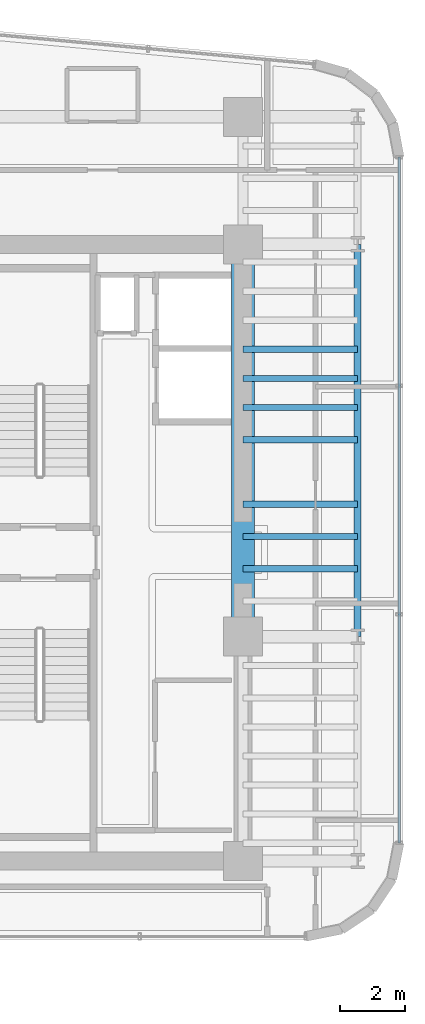
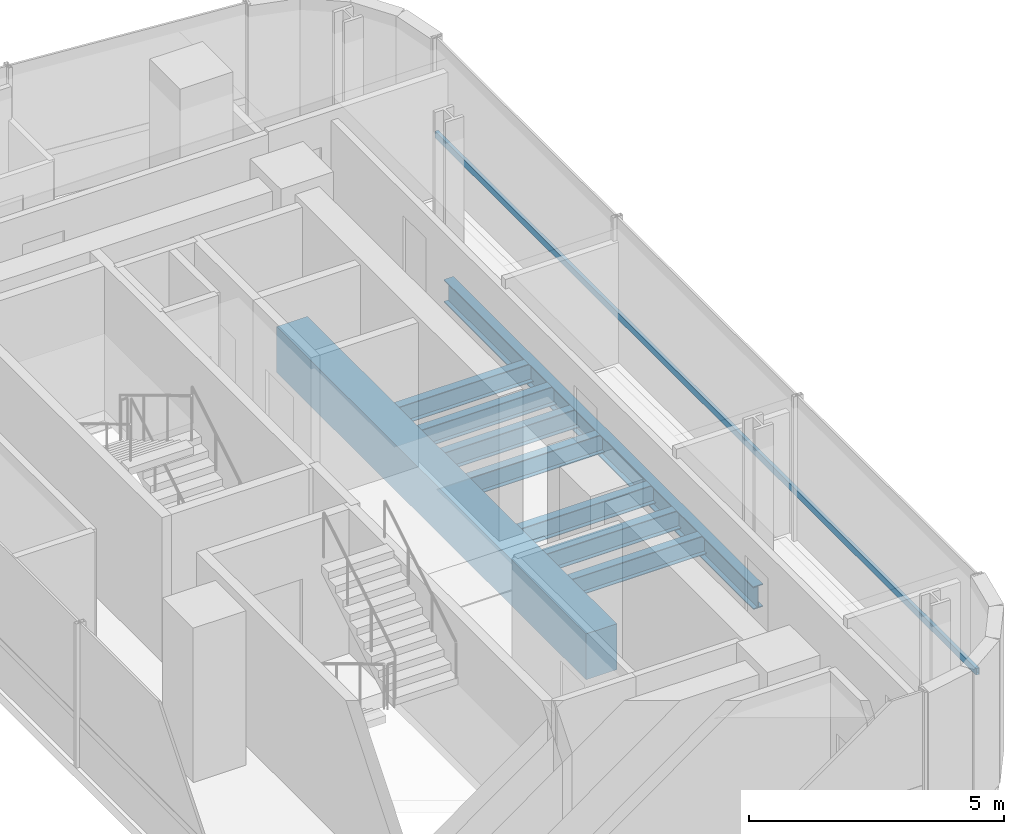
# One storey, part 16 of 33: 9 beams, 1 member, 1 element without a shape of its own.
"""IFC4 building model written with IfcOpenShell, lengths in metres."""

from ifc_helpers import new_model, si_unit, direction, frame, origin, origin_2d, place, context, subcontext, project, spatial, rectangle, hollow_rectangle, i_section, extrude, source, transform, mapped, material, material_profile, profile_set, type_object, element, aggregate, save


model = new_model("IFC4")

# Units and contexts
model_context = context("Model", 3, precision=1e-05, world=origin(), true_north=direction((0.0, 1.0)))
body_context = subcontext(model_context, "Body", "Model", "MODEL_VIEW")
ifc_project = project(units=[si_unit("LENGTHUNIT", "METRE"), si_unit("AREAUNIT", "SQUARE_METRE"), si_unit("VOLUMEUNIT", "CUBIC_METRE"), si_unit("PLANEANGLEUNIT", "RADIAN"), si_unit("MASSUNIT", "GRAM", prefix="KILO")], contexts=[model_context])

# Site, building, storey
site_placement = place(None, origin())
site = spatial("IfcSite", under=ifc_project, at=site_placement, CompositionType="ELEMENT")
building_placement = place(site_placement, origin())
building = spatial("IfcBuilding", under=site, at=building_placement, Name="Valdorenza Pilgrim Sanctuary Tower", CompositionType="ELEMENT")
storey_placement = place(building_placement, frame((0.0, 0.0, 157.5)))
storey = spatial("IfcBuildingStorey", under=building, at=storey_placement, Name="L40", CompositionType="ELEMENT", Elevation=157.5)

# Beams
ifc_material_1 = material(Name="Concrete C50/60", Category="concrete")
ifc_material_profile_1 = material_profile(ifc_material_1, rectangle(XDim=0.699951171875, YDim=1.10009765625, at=origin_2d()), Name="RC 1100x700")
ifc_profile_set_1 = profile_set([ifc_material_profile_1], Name="Concrete C50/60")
beam_type_1 = type_object("IfcBeamType", Name="STR-BM-LNT-1100", PredefinedType="LINTEL", material=ifc_profile_set_1)
shared_shape_1 = source(origin(), body_context, "Body", "SweptSolid", [
    extrude(rectangle(XDim=0.699951171875, YDim=1.10009765625, at=origin_2d()), origin(), (0.0, 0.0, 1.0), 12.150146484375),
])
beam_1_placement = place(storey_placement, frame((24.85009765625, -2.60009765625, -0.590087890625), z_axis=(0.0, 1.0, 0.0), x_axis=(-1.0, 0.0, 0.0)))
element("IfcBeam", 1, at=beam_1_placement, inside=storey, type_object=beam_type_1, Name="L40 Core B East Coupling Lintel Girder", PredefinedType="LINTEL", context=body_context, shape_type="MappedRepresentation", body=[
    mapped(shared_shape_1, transform((0.0, 0.0, 0.0), x_axis=(1.0, 0.0, 0.0), y_axis=(0.0, 1.0, 0.0), z_axis=(0.0, 0.0, 1.0), scale=1.0)),
])
ifc_material_2 = material(Name="Steel ASTM A992 Grade 50", Category="steel")
ifc_material_profile_2 = material_profile(ifc_material_2, i_section(OverallWidth=0.214111328125, OverallDepth=0.549072265625, WebThickness=0.0146484375, FlangeThickness=0.023681640625, at=origin_2d()), Name="W21X93")
ifc_profile_set_2 = profile_set([ifc_material_profile_2], Name="Steel ASTM A992 Grade 50")
beam_type_2 = type_object("IfcBeamType", Name="STR-BM-SPN-W21A", PredefinedType="SPANDREL", material=ifc_profile_set_2)
shared_shape_2 = source(origin(), body_context, "Body", "SweptSolid", [
    extrude(i_section(OverallWidth=0.214111328125, OverallDepth=0.549072265625, WebThickness=0.0146484375, FlangeThickness=0.023681640625, at=origin_2d()), origin(), (0.0, 0.0, 1.0), 12.150146484375),
])
beam_2_placement = place(storey_placement, frame((28.39990234375, -2.60009765625, -0.514404296875), z_axis=(0.0, 1.0, 0.0), x_axis=(-1.0, 0.0, 0.0)))
element("IfcBeam", 2, at=beam_2_placement, inside=storey, type_object=beam_type_2, Name="L40 Spandrel Beam WB-E-M0N1", PredefinedType="SPANDREL", context=body_context, shape_type="MappedRepresentation", body=[
    mapped(shared_shape_2, transform((0.0, 0.0, 0.0), x_axis=(1.0, 0.0, 0.0), y_axis=(0.0, 1.0, 0.0), z_axis=(0.0, 0.0, 1.0), scale=1.0)),
])
ifc_material_profile_3 = material_profile(ifc_material_2, i_section(OverallWidth=0.19091796875, OverallDepth=0.45703125, WebThickness=0.009033203125, FlangeThickness=0.014404296875, at=origin_2d()), Name="W18X50")
ifc_profile_set_3 = profile_set([ifc_material_profile_3], Name="Steel ASTM A992 Grade 50")
beam_type_3 = type_object("IfcBeamType", Name="STR-BM-JST-W18B", PredefinedType="JOIST", material=ifc_profile_set_3)
shared_shape_3 = source(origin(), body_context, "Body", "SweptSolid", [
    extrude(i_section(OverallWidth=0.19091796875, OverallDepth=0.45703125, WebThickness=0.009033203125, FlangeThickness=0.014404296875, at=origin_2d()), origin(), (0.0, 0.0, 1.0), 3.5498046875),
])
for number, where, z_axis, x_axis, name in (
    (3, (24.85009765625, -0.5, -0.468505859375), (1.0, 0.0, 0.0), (0.0, 1.0, 0.0), "L40 Composite Floor Joist JST-WB-9"),
    (4, (24.85009765625, 0.5, -0.468505859375), (1.0, 0.0, 0.0), (0.0, 1.0, 0.0), "L40 Composite Floor Joist JST-WB-10"),
    (5, (24.85009765625, 1.5, -0.468505859375), (1.0, 0.0, 0.0), (0.0, 1.0, 0.0), "L40 Composite Floor Joist JST-WB-11"),
    (6, (24.85009765625, 3.5, -0.468505859375), (1.0, 0.0, 0.0), (0.0, 1.0, 0.0), "L40 Composite Floor Joist JST-WB-12"),
    (7, (24.85009765625, 4.5, -0.468505859375), (1.0, 0.0, 0.0), (0.0, 1.0, 0.0), "L40 Composite Floor Joist JST-WB-13"),
    (8, (24.85009765625, 5.39990234375, -0.468505859375), (1.0, 0.0, 0.0), (0.0, 1.0, 0.0), "L40 Composite Floor Joist JST-WB-14"),
    (9, (24.85009765625, 6.300048828125, -0.468505859375), (1.0, 0.0, 0.0), (0.0, 1.0, 0.0), "L40 Composite Floor Joist JST-WB-15"),
):
    element("IfcBeam", number, at=place(storey_placement, frame(where, z_axis=z_axis, x_axis=x_axis)), inside=storey, type_object=beam_type_3, Name=name, PredefinedType="JOIST", context=body_context, shape_type="MappedRepresentation", body=[
        mapped(shared_shape_3, transform((0.0, 0.0, 0.0), x_axis=(1.0, 0.0, 0.0), y_axis=(0.0, 1.0, 0.0), z_axis=(0.0, 0.0, 1.0), scale=1.0)),
    ])

# Curtain wall, member
ifc_material_3 = material(Name="Curtain-wall IGU glazing", Category="glass")
curtain_wall_type = type_object("IfcCurtainWallType", Name="CW-SYS-03", PredefinedType="NOTDEFINED", material=ifc_material_3)
curtain_wall_placement = place(storey_placement, origin())
curtain_wall = element("IfcCurtainWall", 10, at=curtain_wall_placement, inside=storey, type_object=curtain_wall_type, Name="L40 Curtain Wall CW-L40-2-11", PredefinedType="NOTDEFINED")
ifc_material_4 = material(Name="Anodised aluminium AW-6060", Category="aluminium")
ifc_material_profile_4 = material_profile(ifc_material_4, hollow_rectangle(XDim=0.074951171875, YDim=0.159912109375, WallThickness=0.00390625, at=origin_2d()), Name="ALU-T 160x75x4")
ifc_profile_set_4 = profile_set([ifc_material_profile_4], Name="Anodised aluminium AW-6060")
member_type = type_object("IfcMemberType", Name="CW-TRN-03", PredefinedType="USERDEFINED", material=ifc_profile_set_4)
shared_shape_4 = source(origin(), body_context, "Body", "SweptSolid", [
    extrude(hollow_rectangle(XDim=0.074951171875, YDim=0.159912109375, WallThickness=0.00390625, at=origin_2d()), origin(), (0.0, 0.0, 1.0), 21.242431640625),
])
member_placement = place(storey_placement, frame((29.68994140625, 12.253173828125, 1.1201171875), z_axis=(0.0, -1.0, 0.0), x_axis=(1.0, 0.0, 0.0)))
member = element("IfcMember", 11, at=member_placement, type_object=member_type, Name="CW-L40-2-11 Transom 1", ObjectType="TRANSOM", PredefinedType="USERDEFINED", context=body_context, shape_type="MappedRepresentation", body=[
    mapped(shared_shape_4, transform((0.0, 0.0, 0.0), x_axis=(1.0, 0.0, 0.0), y_axis=(0.0, 1.0, 0.0), z_axis=(0.0, 0.0, 1.0), scale=1.0)),
])
aggregate(curtain_wall, [member])

save(model, "model.ifc")
